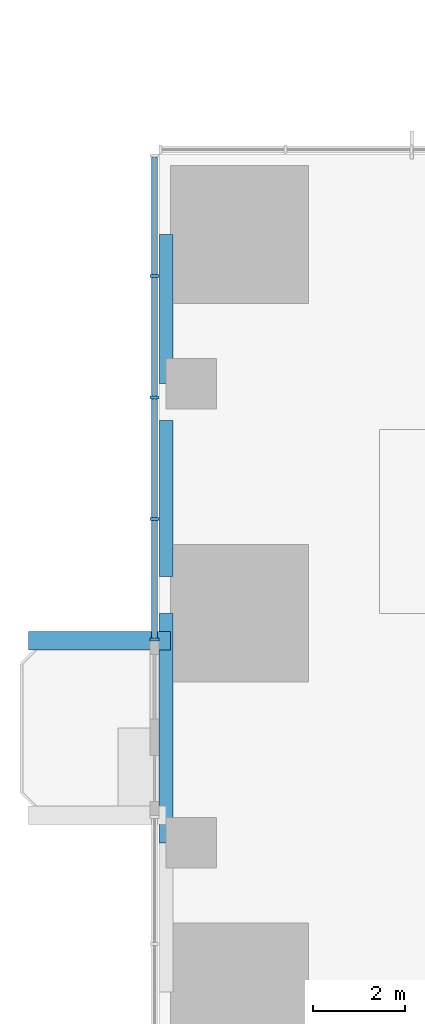
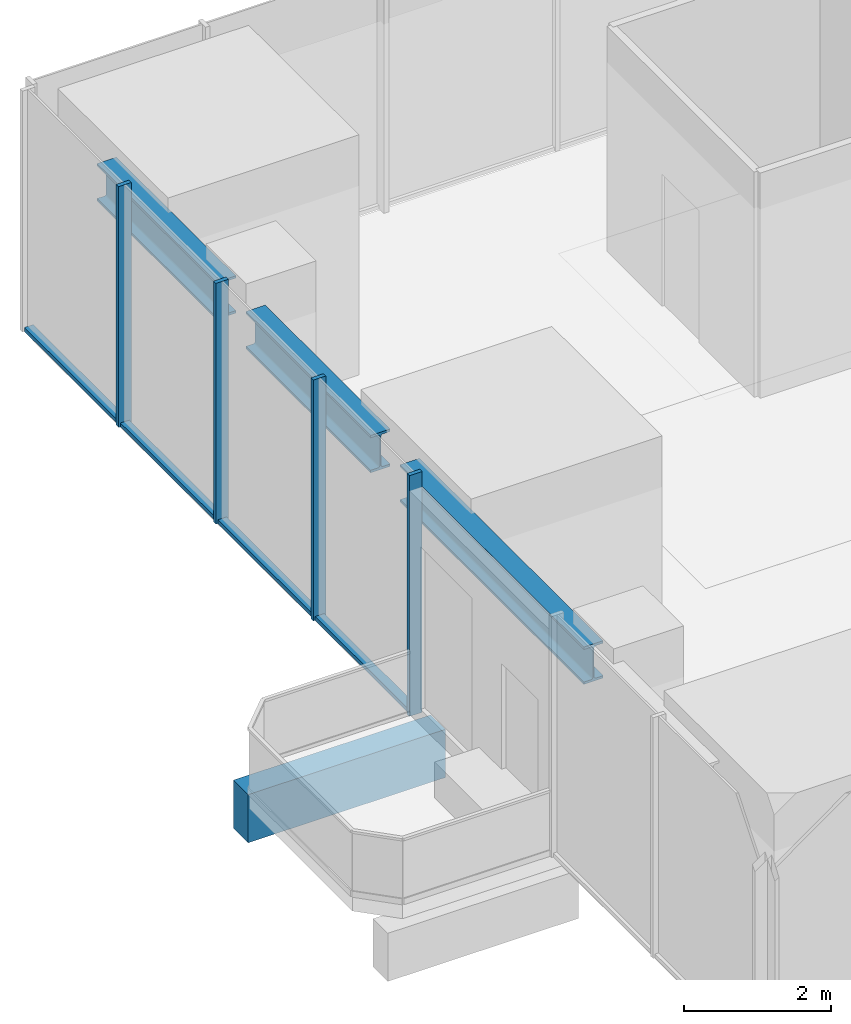
# One storey, part 3 of 13: 8 members, 4 beams, 1 element without a shape of its own.
"""IFC4 building model written with IfcOpenShell, lengths in metres."""

import ifcopenshell
import ifcopenshell.guid

model = None  # the IFC model being written
_history = None  # IfcOwnerHistory: only IFC2X3 demands one
_inside = {}  # id of a spatial element -> (the spatial element, [elements in it])
_under = {}  # id of a project, library or spatial element -> (it, [spatial elements below it])
_declared = {}  # id of a project -> (the project, [libraries it declares])
_typed = {}  # id of a type object -> (the type object, [elements of that type])
_made_of = {}  # id of a material, layer set ... -> (it, [elements and type objects made of it])


def new_model(schema):
    """Start an empty IFC model of exactly this schema.

    Asked for "IFC4X3", IfcOpenShell would pick the latest addendum, in which some entities
    have other attributes; the version numbers below select the first issue.
    IFC2X3 requires an IfcOwnerHistory on every rooted entity: one is made here for all.
    """
    global model, _history
    if schema == "IFC4X3":
        model = ifcopenshell.file(schema_version=(4, 3, 0, 0))
    else:
        model = ifcopenshell.file(schema=schema)
    _inside.clear()
    _under.clear()
    _declared.clear()
    _typed.clear()
    _made_of.clear()
    _history = None
    if model.schema == "IFC2X3":
        org = make("IfcOrganization", Name="unknown")
        user = make(
            "IfcPersonAndOrganization",
            ThePerson=make("IfcPerson", FamilyName="unknown"),
            TheOrganization=org,
        )
        app = make(
            "IfcApplication",
            ApplicationDeveloper=org,
            Version="unknown",
            ApplicationFullName="unknown",
            ApplicationIdentifier="unknown",
        )
        _history = make(
            "IfcOwnerHistory",
            OwningUser=user,
            OwningApplication=app,
            ChangeAction="ADDED",
            CreationDate=0,
        )
    return model


def make(cls, **values):
    """One entity of the class cls with the attributes given. An attribute that is None is left unset."""
    return model.create_entity(
        cls, **{name: value for name, value in values.items() if value is not None}
    )


def rooted(cls, **values):
    """An entity with a GlobalId (a new one), such as an element, a storey or a relation."""
    return make(cls, GlobalId=ifcopenshell.guid.new(), OwnerHistory=_history, **values)


def si_unit(unit_type, name, prefix=None):
    """IfcSIUnit, for example si_unit("LENGTHUNIT", "METRE", prefix="MILLI")."""
    return make("IfcSIUnit", UnitType=unit_type, Prefix=prefix, Name=name)


def assignment(units):
    """IfcUnitAssignment: the units of a project."""
    return None if units is None else make("IfcUnitAssignment", Units=units)


def point(xyz):
    """IfcCartesianPoint."""
    return None if xyz is None else make("IfcCartesianPoint", Coordinates=xyz)


def direction(xyz):
    """IfcDirection."""
    return None if xyz is None else make("IfcDirection", DirectionRatios=xyz)


def frame(location, z_axis=None, x_axis=None):
    """IfcAxis2Placement3D, a coordinate frame: its origin and axes. An axis left out is left unset."""
    return make(
        "IfcAxis2Placement3D",
        Location=point(location),
        Axis=direction(z_axis),
        RefDirection=direction(x_axis),
    )


def frame_2d(location, x_axis=None):
    """IfcAxis2Placement2D, a coordinate frame in the plane: its origin and x axis."""
    return make(
        "IfcAxis2Placement2D", Location=point(location), RefDirection=direction(x_axis)
    )


def origin():
    """The frame at (0, 0, 0) with its axes left unset."""
    return frame((0.0, 0.0, 0.0))


def origin_2d():
    """The frame at (0, 0) in the plane with its x axis left unset."""
    return frame_2d((0.0, 0.0))


def place(relative_to, where):
    """IfcLocalPlacement: puts the frame where relative to a parent placement (None: the world)."""
    return make(
        "IfcLocalPlacement", PlacementRelTo=relative_to, RelativePlacement=where
    )


def context(
    kind, dimensions, precision=None, world=None, true_north=None, identifier=None
):
    """IfcGeometricRepresentationContext, for example the 3D "Model" context."""
    return make(
        "IfcGeometricRepresentationContext",
        ContextIdentifier=identifier,
        ContextType=kind,
        CoordinateSpaceDimension=dimensions,
        Precision=precision,
        WorldCoordinateSystem=world,
        TrueNorth=true_north,
    )


def subcontext(parent, identifier, kind, view, scale=None):
    """IfcGeometricRepresentationSubContext, for example "Body" below "Model"."""
    return make(
        "IfcGeometricRepresentationSubContext",
        ContextIdentifier=identifier,
        ContextType=kind,
        ParentContext=parent,
        TargetScale=scale,
        TargetView=view,
    )


def project(units=None, contexts=None):
    """IfcProject with its units and contexts."""
    return rooted(
        "IfcProject",
        Name="project",
        RepresentationContexts=contexts,
        UnitsInContext=assignment(units),
    )


def spatial(cls, under=None, at=None, **own):
    """A site, building, storey or space (cls), placed at a placement, below another one or the project."""
    s = rooted(cls, ObjectPlacement=at, **own)
    if under is not None:
        _under.setdefault(under.id(), (under, []))[1].append(s)
    return s


def profile(cls, at=None, kind="AREA", **sizes):
    """A parametric profile (cls). Its sizes go by their IFC names, for example OverallWidth=200.0."""
    return make(cls, ProfileType=kind, Position=at, **sizes)


def rectangle(**sizes):
    """IfcRectangleProfileDef."""
    return profile("IfcRectangleProfileDef", **sizes)


def i_section(**sizes):
    """IfcIShapeProfileDef."""
    return profile("IfcIShapeProfileDef", **sizes)


def extrude(swept, where, along, depth):
    """IfcExtrudedAreaSolid: the profile swept, set in the frame where, extruded along a direction by depth."""
    return make(
        "IfcExtrudedAreaSolid",
        SweptArea=swept,
        Position=where,
        ExtrudedDirection=direction(along),
        Depth=depth,
    )


def shape(context_of_items, identifier, shape_type, items):
    """IfcShapeRepresentation: the items that make up one representation, for example the "Body"."""
    return make(
        "IfcShapeRepresentation",
        ContextOfItems=context_of_items,
        RepresentationIdentifier=identifier,
        RepresentationType=shape_type,
        Items=items,
    )


def material(Name=None, Category=None):
    """IfcMaterial."""
    return make("IfcMaterial", Name=Name, Category=Category)


def material_profile(
    of_material, cross_section, Name=None, Category=None, Priority=None
):
    """IfcMaterialProfile: a cross section and its material."""
    return make(
        "IfcMaterialProfile",
        Name=Name,
        Material=of_material,
        Profile=cross_section,
        Priority=Priority,
        Category=Category,
    )


def profile_set(profiles, Name=None, composite=None):
    """IfcMaterialProfileSet."""
    return make(
        "IfcMaterialProfileSet",
        Name=Name,
        MaterialProfiles=profiles,
        CompositeProfile=composite,
    )


def made_of(thing, what):
    """Note that an element or type object is made of a material, layer set ...; save() writes the relation."""
    if what is not None:
        _made_of.setdefault(what.id(), (what, []))[1].append(thing)
    return thing


def type_object(cls, material=None, **own):
    """A type object (cls), such as IfcWallType, which elements share."""
    return made_of(rooted(cls, **own), material)


def element(
    cls,
    number,
    at=None,
    inside=None,
    cuts=None,
    type_object=None,
    material=None,
    context=None,
    identifier="Body",
    shape_type=None,
    held_by="IfcProductDefinitionShape",
    body=None,
    shapes=None,
    **own,
):
    """One element of the class cls, such as IfcWall. Its Tag is "e" and its number.

    at: its placement. inside: the storey or other place that contains it. cuts: it is an
    opening in that element (IfcRelVoidsElement). A single representation is given by context,
    identifier, shape_type and body (its items); several are given by shapes. held_by: the class
    of the entity that holds the representations. save() writes the other relations.
    """
    e = rooted(cls, Tag="e%d" % number, ObjectPlacement=at, **own)
    if body is not None:
        shapes = [shape(context, identifier, shape_type, body)]
    if shapes is not None:
        e.Representation = make(held_by, Representations=shapes)
    if inside is not None:
        _inside.setdefault(inside.id(), (inside, []))[1].append(e)
    if cuts is not None:
        rooted(
            "IfcRelVoidsElement", RelatingBuildingElement=cuts, RelatedOpeningElement=e
        )
    if type_object is not None:
        _typed.setdefault(type_object.id(), (type_object, []))[1].append(e)
    return made_of(e, material)


def aggregate(whole, parts):
    """IfcRelAggregates: a whole, such as a stair, and the parts it consists of."""
    return rooted("IfcRelAggregates", RelatingObject=whole, RelatedObjects=parts)


def save(model, path):
    """Write the relations noted so far, then the file.

    IfcRelAggregates (storeys below a building ...), IfcRelContainedInSpatialStructure (elements
    in a storey), IfcRelDefinesByType, IfcRelAssociatesMaterial and IfcRelDeclares: one each for
    every whole, place, type object, material and project.
    """
    for whole, parts in _under.values():
        aggregate(whole, parts)
    for where, things in _inside.values():
        rooted(
            "IfcRelContainedInSpatialStructure",
            RelatedElements=things,
            RelatingStructure=where,
        )
    for kind, things in _typed.values():
        rooted("IfcRelDefinesByType", RelatedObjects=things, RelatingType=kind)
    for what, things in _made_of.values():
        rooted("IfcRelAssociatesMaterial", RelatedObjects=things, RelatingMaterial=what)
    for by, libraries in _declared.values():
        rooted("IfcRelDeclares", RelatingContext=by, RelatedDefinitions=libraries)
    model.write(path)


model = new_model("IFC4")

# Units and contexts
model_context = context("Model", 3, precision=1e-05, world=origin(), true_north=direction((0.0, 1.0)))
body_context = subcontext(model_context, "Body", "Model", "MODEL_VIEW")
ifc_project = project(units=[si_unit("LENGTHUNIT", "METRE"), si_unit("AREAUNIT", "SQUARE_METRE"), si_unit("VOLUMEUNIT", "CUBIC_METRE"), si_unit("PLANEANGLEUNIT", "RADIAN"), si_unit("MASSUNIT", "GRAM", prefix="KILO")], contexts=[model_context])

# Site, building, storey
site_placement = place(None, origin())
site = spatial("IfcSite", under=ifc_project, at=site_placement, CompositionType="ELEMENT")
building_placement = place(site_placement, origin())
building = spatial("IfcBuilding", under=site, at=building_placement, Name="Svetlomir Tower", CompositionType="ELEMENT")
storey_placement = place(building_placement, frame((0.0, 0.0, 152.5)))
storey = spatial("IfcBuildingStorey", under=building, at=storey_placement, Name="L36", CompositionType="ELEMENT", Elevation=152.5)

# Beam
ifc_material_1 = material(Name="Concrete C60/75", Category="concrete")
ifc_material_profile_1 = material_profile(ifc_material_1, rectangle(XDim=0.39990234375, YDim=0.800048828125, at=origin_2d()), Name="RC 400x800")
ifc_profile_set_1 = profile_set([ifc_material_profile_1], Name="Concrete C60/75")
beam_type_1 = type_object("IfcBeamType", Name="BALCONY RIB RC 400x800", PredefinedType="BEAM", material=ifc_profile_set_1)
beam_1_placement = place(storey_placement, frame((0.25, 20.39990234375, -0.64990234375), z_axis=(-1.0, 0.0, 0.0), x_axis=(0.0, -1.0, 0.0)))
element("IfcBeam", 1, at=beam_1_placement, inside=storey, type_object=beam_type_1, Name="Balcony rib W 2 L36", PredefinedType="BEAM", context=body_context, shape_type="SweptSolid", body=[
    extrude(rectangle(XDim=0.39990234375, YDim=0.800048828125, at=origin_2d()), origin(), (0.0, 0.0, 1.0), 3.10009765625),
])

# Curtain wall, members
ifc_material_2 = material(Name="Bronze anodised aluminium curtain wall", Category="aluminium")
curtain_wall_type = type_object("IfcCurtainWallType", Name="CURTAIN WALL CW1 TOWER OFFICE", PredefinedType="NOTDEFINED", material=ifc_material_2)
curtain_wall_placement = place(storey_placement, origin())
curtain_wall = element("IfcCurtainWall", 2, at=curtain_wall_placement, inside=storey, type_object=curtain_wall_type, Name="Curtain wall CW1 L36", PredefinedType="NOTDEFINED")
ifc_material_3 = material(Name="Bronze anodised aluminium", Category="aluminium")
ifc_material_profile_2 = material_profile(ifc_material_3, rectangle(XDim=0.06494140625, YDim=0.199951171875, at=origin_2d()), Name="AL 65x200")
ifc_profile_set_2 = profile_set([ifc_material_profile_2], Name="Bronze anodised aluminium 6063-T6")
member_type_1 = type_object("IfcMemberType", Name="CW1 MULLION 65x200", PredefinedType="MULLION", material=ifc_profile_set_2)
member_1_placement = place(storey_placement, frame((-0.10009765625, 28.35009765625, 0.0), z_axis=(0.0, 0.0, 1.0), x_axis=(0.0, -1.0, 0.0)))
member_1 = element("IfcMember", 3, at=member_1_placement, type_object=member_type_1, Name="CW1 mullion 2", PredefinedType="MULLION", context=body_context, shape_type="SweptSolid", body=[
    extrude(rectangle(XDim=0.06494140625, YDim=0.199951171875, at=origin_2d()), origin(), (0.0, 0.0, 1.0), 4.0),
])
member_2_placement = place(storey_placement, frame((-0.10009765625, 25.699951171875, 0.0), z_axis=(0.0, 0.0, 1.0), x_axis=(0.0, -1.0, 0.0)))
member_2 = element("IfcMember", 4, at=member_2_placement, type_object=member_type_1, Name="CW1 mullion 3", PredefinedType="MULLION", context=body_context, shape_type="SweptSolid", body=[
    extrude(rectangle(XDim=0.06494140625, YDim=0.199951171875, at=origin_2d()), origin(), (0.0, 0.0, 1.0), 4.0),
])
member_3_placement = place(storey_placement, frame((-0.10009765625, 23.050048828125, 0.0), z_axis=(0.0, 0.0, 1.0), x_axis=(0.0, -1.0, 0.0)))
member_3 = element("IfcMember", 5, at=member_3_placement, type_object=member_type_1, Name="CW1 mullion 4", PredefinedType="MULLION", context=body_context, shape_type="SweptSolid", body=[
    extrude(rectangle(XDim=0.06494140625, YDim=0.199951171875, at=origin_2d()), origin(), (0.0, 0.0, 1.0), 4.0),
])
member_4_placement = place(storey_placement, frame((-0.10009765625, 20.4326171875, 0.0), z_axis=(0.0, 0.0, 1.0), x_axis=(0.0, -1.0, 0.0)))
member_4 = element("IfcMember", 6, at=member_4_placement, type_object=member_type_1, Name="CW1 mullion 5", PredefinedType="MULLION", context=body_context, shape_type="SweptSolid", body=[
    extrude(rectangle(XDim=0.06494140625, YDim=0.199951171875, at=origin_2d()), origin(), (0.0, 0.0, 1.0), 4.0),
])
ifc_material_4 = material(Name="Bronze anodised aluminium", Category="aluminium")
ifc_material_profile_3 = material_profile(ifc_material_4, rectangle(XDim=0.139892578125, YDim=0.06494140625, at=origin_2d()), Name="AL 140x65")
ifc_profile_set_3 = profile_set([ifc_material_profile_3], Name="Bronze anodised aluminium 6063-T6")
member_type_2 = type_object("IfcMemberType", Name="CW1 TRANSOM 65x140", PredefinedType="USERDEFINED", material=ifc_profile_set_3)
member_5_placement = place(storey_placement, frame((-0.10009765625, 30.93505859375, 0.032470703125), z_axis=(0.0, -1.0, 0.0), x_axis=(1.0, 0.0, 0.0)))
member_5 = element("IfcMember", 7, at=member_5_placement, type_object=member_type_2, Name="CW1 transom 1.1", ObjectType="TRANSOM", PredefinedType="USERDEFINED", context=body_context, shape_type="SweptSolid", body=[
    extrude(rectangle(XDim=0.139892578125, YDim=0.06494140625, at=origin_2d()), origin(), (0.0, 0.0, 1.0), 2.552490234375),
])
member_6_placement = place(storey_placement, frame((-0.10009765625, 28.3173828125, 0.032470703125), z_axis=(0.0, -1.0, 0.0), x_axis=(1.0, 0.0, 0.0)))
member_6 = element("IfcMember", 8, at=member_6_placement, type_object=member_type_2, Name="CW1 transom 2.1", ObjectType="TRANSOM", PredefinedType="USERDEFINED", context=body_context, shape_type="SweptSolid", body=[
    extrude(rectangle(XDim=0.139892578125, YDim=0.06494140625, at=origin_2d()), origin(), (0.0, 0.0, 1.0), 2.5849609375),
])
member_7_placement = place(storey_placement, frame((-0.10009765625, 25.66748046875, 0.032470703125), z_axis=(0.0, -1.0, 0.0), x_axis=(1.0, 0.0, 0.0)))
member_7 = element("IfcMember", 9, at=member_7_placement, type_object=member_type_2, Name="CW1 transom 3.1", ObjectType="TRANSOM", PredefinedType="USERDEFINED", context=body_context, shape_type="SweptSolid", body=[
    extrude(rectangle(XDim=0.139892578125, YDim=0.06494140625, at=origin_2d()), origin(), (0.0, 0.0, 1.0), 2.5849609375),
])
member_8_placement = place(storey_placement, frame((-0.10009765625, 23.017578125, 0.032470703125), z_axis=(0.0, -1.0, 0.0), x_axis=(1.0, 0.0, 0.0)))
member_8 = element("IfcMember", 10, at=member_8_placement, type_object=member_type_2, Name="CW1 transom 4.1", ObjectType="TRANSOM", PredefinedType="USERDEFINED", context=body_context, shape_type="SweptSolid", body=[
    extrude(rectangle(XDim=0.139892578125, YDim=0.06494140625, at=origin_2d()), origin(), (0.0, 0.0, 1.0), 2.552490234375),
])
aggregate(curtain_wall, [member_1, member_2, member_3, member_4, member_5, member_6, member_7, member_8])

# Beams
ifc_material_5 = material(Name="Steel S355", Category="steel")
ifc_material_profile_4 = material_profile(ifc_material_5, i_section(OverallWidth=0.304931640625, OverallDepth=0.6201171875, WebThickness=0.02099609375, FlangeThickness=0.0400390625, FilletRadius=0.027099609375, at=origin_2d()), Name="HEM 600")
ifc_profile_set_4 = profile_set([ifc_material_profile_4], Name="Steel S355")
beam_type_2 = type_object("IfcBeamType", Name="EDGE BEAM HEM 600", PredefinedType="SPANDREL", material=ifc_profile_set_4)
beam_2_placement = place(storey_placement, frame((0.152587890625, 16.0, 3.43994140625), z_axis=(0.0, 1.0, 0.0), x_axis=(-1.0, 0.0, 0.0)))
element("IfcBeam", 11, at=beam_2_placement, inside=storey, type_object=beam_type_2, Name="Edge beam 0/16 to 0/21 under L37", PredefinedType="SPANDREL", context=body_context, shape_type="SweptSolid", body=[
    extrude(i_section(OverallWidth=0.304931640625, OverallDepth=0.6201171875, WebThickness=0.02099609375, FlangeThickness=0.0400390625, FilletRadius=0.027099609375, at=origin_2d()), origin(), (0.0, 0.0, 1.0), 5.0),
])
beam_3_placement = place(storey_placement, frame((0.152587890625, 21.800048828125, 3.43994140625), z_axis=(0.0, 1.0, 0.0), x_axis=(-1.0, 0.0, 0.0)))
element("IfcBeam", 12, at=beam_3_placement, inside=storey, type_object=beam_type_2, Name="Edge beam 0/21 to 0/26 under L37", PredefinedType="SPANDREL", context=body_context, shape_type="SweptSolid", body=[
    extrude(i_section(OverallWidth=0.304931640625, OverallDepth=0.6201171875, WebThickness=0.02099609375, FlangeThickness=0.0400390625, FilletRadius=0.027099609375, at=origin_2d()), origin(), (0.0, 0.0, 1.0), 3.39990234375),
])
beam_4_placement = place(storey_placement, frame((0.152587890625, 26.0, 3.43994140625), z_axis=(0.0, 1.0, 0.0), x_axis=(-1.0, 0.0, 0.0)))
element("IfcBeam", 13, at=beam_4_placement, inside=storey, type_object=beam_type_2, Name="Edge beam 0/26 to 0/31 under L37", PredefinedType="SPANDREL", context=body_context, shape_type="SweptSolid", body=[
    extrude(i_section(OverallWidth=0.304931640625, OverallDepth=0.6201171875, WebThickness=0.02099609375, FlangeThickness=0.0400390625, FilletRadius=0.027099609375, at=origin_2d()), origin(), (0.0, 0.0, 1.0), 3.25),
])

save(model, "model.ifc")
